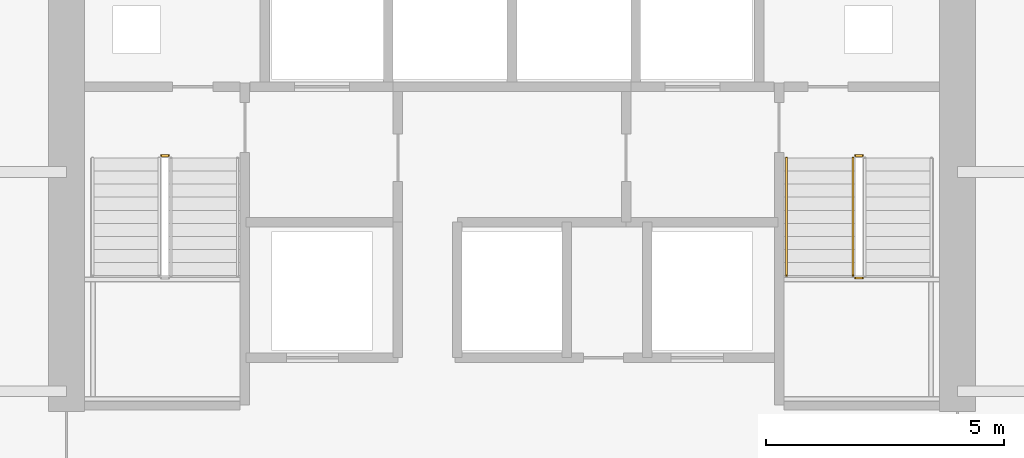
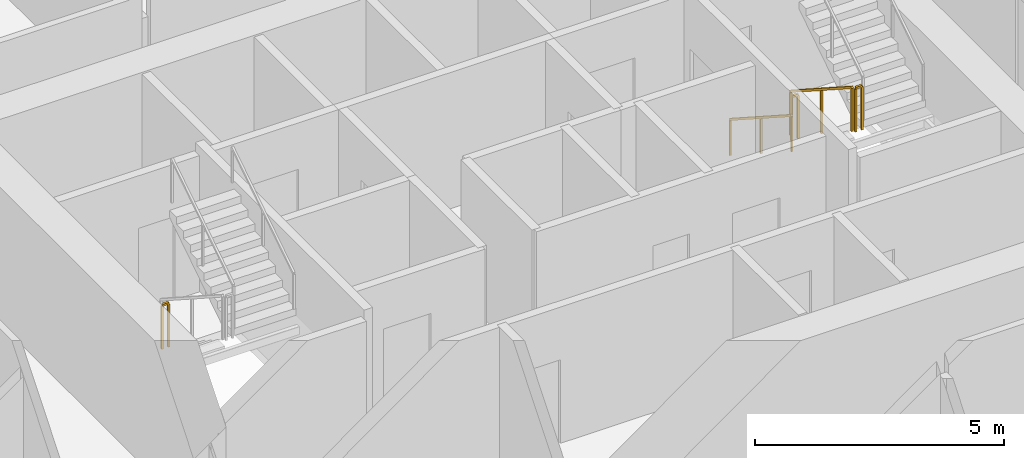
# One storey, part 10 of 11: 5 railings.
"""IFC4 building model written with IfcOpenShell, lengths in metres."""

from ifc_helpers import new_model, si_unit, direction, frame, origin, origin_2d, place, context, subcontext, project, spatial, rectangle, extrude, material, type_object, element, save


model = new_model("IFC4")

# Units and contexts
model_context = context("Model", 3, precision=1e-05, world=origin(), true_north=direction((0.0, 1.0)))
body_context = subcontext(model_context, "Body", "Model", "MODEL_VIEW")
ifc_project = project(units=[si_unit("LENGTHUNIT", "METRE"), si_unit("AREAUNIT", "SQUARE_METRE"), si_unit("VOLUMEUNIT", "CUBIC_METRE"), si_unit("PLANEANGLEUNIT", "RADIAN"), si_unit("MASSUNIT", "GRAM", prefix="KILO")], contexts=[model_context])

# Site, building, storey
site_placement = place(None, origin())
site = spatial("IfcSite", under=ifc_project, at=site_placement, CompositionType="ELEMENT")
building_placement = place(site_placement, origin())
building = spatial("IfcBuilding", under=site, at=building_placement, Name="Cinnabar Lancet Tower", CompositionType="ELEMENT")
storey_placement = place(building_placement, frame((0.0, 0.0, 105.5)))
storey = spatial("IfcBuildingStorey", under=building, at=storey_placement, Name="L27", CompositionType="ELEMENT", Elevation=105.5)

# Railings
ifc_material_1 = material(Name="Painted galvanized steel balustrade", Category="steel")
railing_type_1 = type_object("IfcRailingType", Name="GUARD-STAIR", PredefinedType="GUARDRAIL", material=ifc_material_1)
railing_1_placement = place(storey_placement, frame((25.02490234375, 28.449951171875, 0.0)))
element("IfcRailing", 1, at=railing_1_placement, inside=storey, type_object=railing_type_1, Name="L27 ST-1 stair guard 4", PredefinedType="GUARDRAIL", context=body_context, shape_type="SweptSolid", body=[
    extrude(rectangle(XDim=0.048095703125, YDim=0.048095703125, at=origin_2d()), frame((0.0, 0.0, 1.076171875), z_axis=(1.0, 0.0, 0.0), x_axis=(0.0, 1.0, 0.0)), (0.0, 0.0, 1.0), 0.150146484375),
    extrude(rectangle(XDim=0.0419921875, YDim=0.0419921875, at=origin_2d()), origin(), (0.0, 0.0, 1.0), 1.052001953125),
    extrude(rectangle(XDim=0.0419921875, YDim=0.0419921875, at=origin_2d()), frame((0.150146484375, 0.0, 0.0)), (0.0, 0.0, 1.0), 1.052001953125),
])
railing_2_placement = place(storey_placement, frame((39.574951171875, 28.39990234375, 0.177490234375)))
element("IfcRailing", 2, at=railing_2_placement, inside=storey, type_object=railing_type_1, Name="L27 ST-2 stair guard 1", PredefinedType="GUARDRAIL", context=body_context, shape_type="SweptSolid", body=[
    extrude(rectangle(XDim=0.048095703125, YDim=0.048095703125, at=origin_2d()), frame((0.0, 0.0, 1.076171875), z_axis=(0.0, -0.840183358697, 0.542302428327), x_axis=(1.0, 0.0, 0.0)), (0.0, 0.0, 1.0), 2.945556640625),
    extrude(rectangle(XDim=0.0419921875, YDim=0.0419921875, at=origin_2d()), origin(), (0.0, 0.0, 1.0), 1.052001953125),
    extrude(rectangle(XDim=0.0419921875, YDim=0.0419921875, at=origin_2d()), frame((0.0, -1.2373046875, 0.798828125)), (0.0, 0.0, 1.0), 1.052001953125),
    extrude(rectangle(XDim=0.0419921875, YDim=0.0419921875, at=origin_2d()), frame((0.0, -2.474853515625, 1.597412109375)), (0.0, 0.0, 1.0), 1.052001953125),
])
for number, where, name in (
    (3, (39.625, 25.875, 1.77490234375), "L27 ST-2 stair guard 2"),
    (4, (39.625, 28.449951171875, 0.0), "L27 ST-2 stair guard 4"),
):
    element("IfcRailing", number, at=place(storey_placement, frame(where)), inside=storey, type_object=railing_type_1, Name=name, PredefinedType="GUARDRAIL", context=body_context, shape_type="SweptSolid", body=[
        extrude(rectangle(XDim=0.048095703125, YDim=0.048095703125, at=origin_2d()), frame((0.0, 0.0, 1.076171875), z_axis=(1.0, 0.0, 0.0), x_axis=(0.0, 1.0, 0.0)), (0.0, 0.0, 1.0), 0.14990234375),
        extrude(rectangle(XDim=0.0419921875, YDim=0.0419921875, at=origin_2d()), origin(), (0.0, 0.0, 1.0), 1.052001953125),
        extrude(rectangle(XDim=0.0419921875, YDim=0.0419921875, at=origin_2d()), frame((0.14990234375, 0.0, 0.0)), (0.0, 0.0, 1.0), 1.052001953125),
    ])
ifc_material_2 = material(Name="Brushed stainless steel handrail", Category="steel")
railing_type_2 = type_object("IfcRailingType", Name="HANDRAIL-STAIR", PredefinedType="HANDRAIL", material=ifc_material_2)
railing_3_placement = place(storey_placement, frame((38.175048828125, 28.39990234375, 0.177490234375)))
element("IfcRailing", 5, at=railing_3_placement, inside=storey, type_object=railing_type_2, Name="L27 ST-2 stair handrail 1", PredefinedType="HANDRAIL", context=body_context, shape_type="SweptSolid", body=[
    extrude(rectangle(XDim=0.048095703125, YDim=0.048095703125, at=origin_2d()), frame((0.0, 0.0, 0.8759765625), z_axis=(0.0, -0.840183358697, 0.542302428327), x_axis=(1.0, 0.0, 0.0)), (0.0, 0.0, 1.0), 2.945556640625),
    extrude(rectangle(XDim=0.0419921875, YDim=0.0419921875, at=origin_2d()), origin(), (0.0, 0.0, 1.0), 0.851806640625),
    extrude(rectangle(XDim=0.0419921875, YDim=0.0419921875, at=origin_2d()), frame((0.0, -1.2373046875, 0.798828125)), (0.0, 0.0, 1.0), 0.851806640625),
    extrude(rectangle(XDim=0.0419921875, YDim=0.0419921875, at=origin_2d()), frame((0.0, -2.474853515625, 1.597412109375)), (0.0, 0.0, 1.0), 0.851806640625),
])

save(model, "model.ifc")
